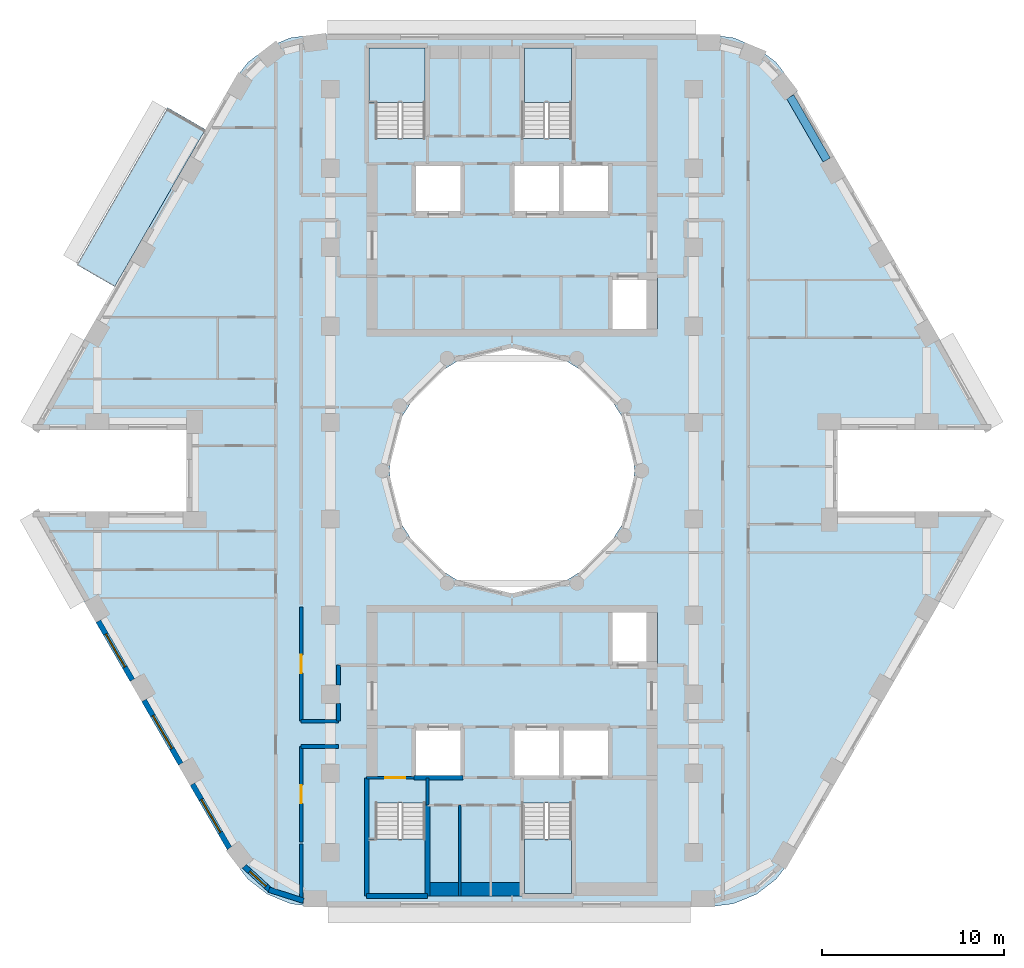
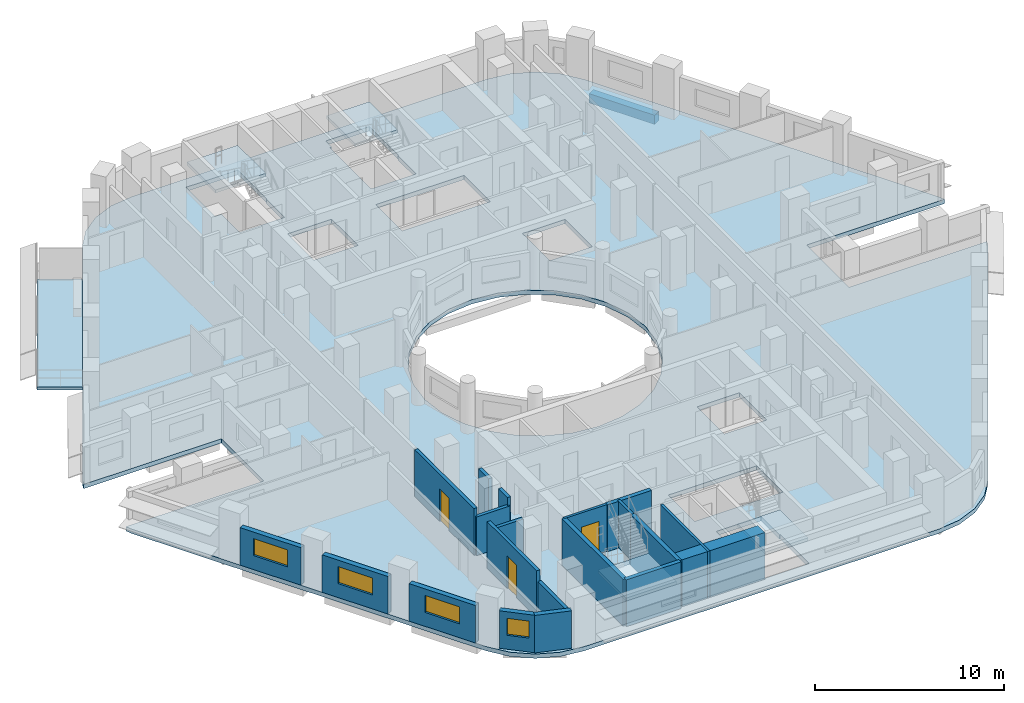
# One storey, part 2 of 13: 20 walls, 6 slabs, 4 windows, 3 doors, 1 beam, 7 openings, 4 elements without a shape of their own.
"""IFC4 building model written with IfcOpenShell, lengths in metres."""

from ifc_helpers import new_model, si_unit, direction, frame, frame_2d, origin, origin_2d, place, context, subcontext, project, spatial, polyline, rectangle, outline, extrude, material, layer, layer_set, material_profile, profile_set, type_object, element, fill, aggregate, save


model = new_model("IFC4")

# Units and contexts
model_context = context("Model", 3, precision=1e-05, world=origin(), true_north=direction((0.0, 1.0)))
body_context = subcontext(model_context, "Body", "Model", "MODEL_VIEW")
ifc_project = project(units=[si_unit("LENGTHUNIT", "METRE"), si_unit("AREAUNIT", "SQUARE_METRE"), si_unit("VOLUMEUNIT", "CUBIC_METRE"), si_unit("PLANEANGLEUNIT", "RADIAN"), si_unit("MASSUNIT", "GRAM", prefix="KILO")], contexts=[model_context])

# Site, building, storey
site_placement = place(None, origin())
site = spatial("IfcSite", under=ifc_project, at=site_placement, CompositionType="ELEMENT")
building_placement = place(site_placement, origin())
building = spatial("IfcBuilding", under=site, at=building_placement, Name="Nakaniwa Court", CompositionType="ELEMENT")
storey_placement = place(building_placement, frame((0.0, 0.0, 143.699951171875)))
storey = spatial("IfcBuildingStorey", under=building, at=storey_placement, Name="L37", CompositionType="ELEMENT", Elevation=143.699951171875)

# Beam
ifc_material_1 = material(Name="Concrete C80/100", Category="concrete")
ifc_material_profile = material_profile(ifc_material_1, rectangle(XDim=0.449951171875, YDim=0.60009765625, at=origin_2d()), Name="Concrete C80/100 RC 450x600 spandrel beam")
ifc_profile_set = profile_set([ifc_material_profile], Name="Concrete C80/100")
beam_type = type_object("IfcBeamType", Name="Concrete C80/100 RC 450x600 spandrel beam", PredefinedType="BEAM", material=ifc_profile_set)
beam_placement = place(storey_placement, frame((97.320556640625, 97.10009765625, -0.574951171875), z_axis=(-0.500018573463, 0.866014680125, 0.0), x_axis=(-0.866014680125, -0.500018573463, 0.0)))
element("IfcBeam", 1, at=beam_placement, inside=storey, type_object=beam_type, Name="SPANDREL BEAM", PredefinedType="BEAM", context=body_context, shape_type="SweptSolid", body=[
    extrude(rectangle(XDim=0.449951171875, YDim=0.60009765625, at=origin_2d()), origin(), (0.0, 0.0, 1.0), 4.020263671875),
])

# Slabs
ifc_material_2 = material(Name="Charcoal ceramic paver")
ifc_layer_1 = layer(ifc_material_2, 0.02, Name="Ceramic paver")
ifc_material_3 = material(Name="Cement sand screed")
ifc_layer_2 = layer(ifc_material_3, 0.03, Name="Falls screed")
ifc_material_4 = material(Name="Concrete C40/50", Category="concrete")
ifc_layer_3 = layer(ifc_material_4, 0.15, Name="Balcony slab")
ifc_layer_set_1 = layer_set([ifc_layer_1, ifc_layer_2, ifc_layer_3], Name="Concrete C40/50 balcony slab with ceramic paver finish")
slab_type_1 = type_object("IfcSlabType", Name="Balcony slab 200", PredefinedType="FLOOR", material=ifc_layer_set_1)
slab_1_placement = place(storey_placement, frame((0.0, 0.0, -0.25)))
element("IfcSlab", 2, at=slab_1_placement, inside=storey, type_object=slab_type_1, Name="L37 balcony 01", PredefinedType="FLOOR", context=body_context, shape_type="SweptSolid", body=[
    extrude(outline(polyline([(63.1298828125, 98.780029296875), (58.13671875, 90.1318359375), (56.058349609375, 91.331787109375), (61.051513671875, 99.97998046875), (63.1298828125, 98.780029296875)])), origin(), (0.0, 0.0, 1.0), 0.199951171875),
])
ifc_layer_4 = layer(ifc_material_1, 0.27490234375)
ifc_layer_set_2 = layer_set([ifc_layer_4], Name="Concrete C80/100")
slab_type_2 = type_object("IfcSlabType", Name="Concrete C80/100 post tensioned floor slab 275", PredefinedType="FLOOR", material=ifc_layer_set_2)
slab_2_placement = place(storey_placement, frame((0.0, 0.0, -0.27490234375)))
element("IfcSlab", 3, at=slab_2_placement, inside=storey, type_object=slab_type_2, Name="FLOOR SLAB", PredefinedType="FLOOR", context=body_context, shape_type="SweptSolid", body=[
    extrude(outline(polyline([(97.908447265625, 82.25), (106.356689453125, 82.25), (106.211669921875, 82.60009765625), (95.357421875, 101.39990234375), (94.531005859375, 102.47705078125), (93.4541015625, 103.30322265625), (92.199951171875, 103.82275390625), (90.854248046875, 104.0), (69.145751953125, 104.0), (67.800048828125, 103.82275390625), (66.5458984375, 103.30322265625), (65.468994140625, 102.47705078125), (64.642578125, 101.39990234375), (53.788330078125, 82.60009765625), (53.643310546875, 82.25), (62.091552734375, 82.25), (62.091552734375, 77.75), (53.643310546875, 77.75), (53.788330078125, 77.39990234375), (64.642578125, 58.60009765625), (65.468994140625, 57.52294921875), (66.5458984375, 56.69677734375), (67.800048828125, 56.17724609375), (69.145751953125, 56.0), (90.854248046875, 56.0), (92.199951171875, 56.17724609375), (93.4541015625, 56.69677734375), (94.531005859375, 57.52294921875), (95.357421875, 58.60009765625), (106.211669921875, 77.39990234375), (106.356689453125, 77.75), (97.908447265625, 77.75), (97.908447265625, 82.25)]), holes=[polyline([(81.501953125, 86.580810546875), (80.0, 86.75), (78.498046875, 86.580810546875), (77.0712890625, 86.08154296875), (75.79150390625, 85.27734375), (74.72265625, 84.20849609375), (73.91845703125, 82.9287109375), (73.419189453125, 81.501953125), (73.25, 80.0), (73.419189453125, 78.498046875), (73.91845703125, 77.0712890625), (74.72265625, 75.79150390625), (75.79150390625, 74.72265625), (77.0712890625, 73.91845703125), (78.498046875, 73.419189453125), (80.0, 73.25), (81.501953125, 73.419189453125), (82.9287109375, 73.91845703125), (84.20849609375, 74.72265625), (85.27734375, 75.79150390625), (86.08154296875, 77.0712890625), (86.580810546875, 78.498046875), (86.75, 80.0), (86.580810546875, 81.501953125), (86.08154296875, 82.9287109375), (85.27734375, 84.20849609375), (84.20849609375, 85.27734375), (82.9287109375, 86.08154296875), (81.501953125, 86.580810546875)]), polyline([(72.47509765625, 61.7099609375), (72.47509765625, 59.764892578125), (72.0849609375, 59.764892578125), (72.0849609375, 56.68505859375), (75.264892578125, 56.68505859375), (75.264892578125, 59.764892578125), (75.22509765625, 59.764892578125), (75.22509765625, 61.7099609375), (72.47509765625, 61.7099609375)]), polyline([(77.300048828125, 65.89990234375), (74.60009765625, 65.89990234375), (74.60009765625, 63.10009765625), (77.300048828125, 63.10009765625), (77.300048828125, 65.89990234375)]), polyline([(80.0, 65.89990234375), (80.0, 63.10009765625), (82.699951171875, 63.10009765625), (85.39990234375, 63.10009765625), (85.39990234375, 65.89990234375), (82.699951171875, 65.89990234375), (80.0, 65.89990234375)]), polyline([(77.300048828125, 96.89990234375), (74.60009765625, 96.89990234375), (74.60009765625, 94.10009765625), (77.300048828125, 94.10009765625), (77.300048828125, 96.89990234375)]), polyline([(80.0, 96.89990234375), (80.0, 94.10009765625), (82.699951171875, 94.10009765625), (85.39990234375, 94.10009765625), (85.39990234375, 96.89990234375), (82.699951171875, 96.89990234375), (80.0, 96.89990234375)]), polyline([(75.264892578125, 100.235107421875), (75.264892578125, 103.31494140625), (72.0849609375, 103.31494140625), (72.0849609375, 100.235107421875), (72.47509765625, 100.235107421875), (72.47509765625, 98.2900390625), (75.22509765625, 98.2900390625), (75.22509765625, 100.235107421875), (75.264892578125, 100.235107421875)]), polyline([(83.27490234375, 61.7099609375), (80.52490234375, 61.7099609375), (80.52490234375, 57.324951171875), (80.635009765625, 57.324951171875), (80.635009765625, 56.68505859375), (83.31494140625, 56.68505859375), (83.31494140625, 59.764892578125), (83.27490234375, 59.764892578125), (83.27490234375, 61.7099609375)]), polyline([(88.0, 72.199951171875), (85.39990234375, 72.199951171875), (85.39990234375, 69.300048828125), (88.0, 69.300048828125), (88.0, 72.199951171875)]), polyline([(88.0, 90.699951171875), (85.39990234375, 90.699951171875), (85.39990234375, 87.800048828125), (88.0, 87.800048828125), (88.0, 90.699951171875)]), polyline([(83.31494140625, 100.235107421875), (83.31494140625, 103.31494140625), (80.635009765625, 103.31494140625), (80.635009765625, 102.675048828125), (80.52490234375, 102.675048828125), (80.52490234375, 98.2900390625), (83.27490234375, 98.2900390625), (83.27490234375, 100.235107421875), (83.31494140625, 100.235107421875)])]), origin(), (0.0, 0.0, 1.0), 0.27490234375),
])

# Stair, slab
stair_type = type_object("IfcStairType", Name="Dog leg stair 1300 wide 18 risers", PredefinedType="HALF_TURN_STAIR", material=ifc_material_1)
stair_1_placement = place(storey_placement, origin())
stair_1 = element("IfcStair", 4, at=stair_1_placement, inside=storey, type_object=stair_type, Name="L37 Stair ST1", PredefinedType="HALF_TURN_STAIR")
ifc_layer_5 = layer(ifc_material_1, 0.199951171875)
ifc_layer_set_3 = layer_set([ifc_layer_5], Name="Concrete C80/100")
slab_type_3 = type_object("IfcSlabType", Name="Stair landing concrete", PredefinedType="LANDING", material=ifc_layer_set_3)
slab_3_placement = place(storey_placement, frame((0.0, 0.0, 1.449951171875)))
slab_3 = element("IfcSlab", 5, at=slab_3_placement, type_object=slab_type_3, Name="ST1 landing 1", PredefinedType="LANDING", context=body_context, shape_type="SweptSolid", body=[
    extrude(outline(polyline([(75.22509765625, 100.27490234375), (75.22509765625, 103.27490234375), (72.125, 103.27490234375), (72.125, 100.27490234375), (75.22509765625, 100.27490234375)])), origin(), (0.0, 0.0, 1.0), 0.2001953125),
])
aggregate(stair_1, [slab_3])

stair_2_placement = place(storey_placement, origin())
stair_2 = element("IfcStair", 6, at=stair_2_placement, inside=storey, type_object=stair_type, Name="L37 Stair ST2", PredefinedType="HALF_TURN_STAIR")
slab_4_placement = place(storey_placement, frame((0.0, 0.0, 1.449951171875)))
slab_4 = element("IfcSlab", 7, at=slab_4_placement, type_object=slab_type_3, Name="ST2 landing 1", PredefinedType="LANDING", context=body_context, shape_type="SweptSolid", body=[
    extrude(outline(polyline([(83.27490234375, 100.27490234375), (83.27490234375, 103.27490234375), (80.675048828125, 103.27490234375), (80.675048828125, 100.27490234375), (83.27490234375, 100.27490234375)])), origin(), (0.0, 0.0, 1.0), 0.2001953125),
])
aggregate(stair_2, [slab_4])

stair_3_placement = place(storey_placement, origin())
stair_3 = element("IfcStair", 8, at=stair_3_placement, inside=storey, type_object=stair_type, Name="L37 Stair ST3", PredefinedType="HALF_TURN_STAIR")
slab_5_placement = place(storey_placement, frame((0.0, 0.0, 1.449951171875)))
slab_5 = element("IfcSlab", 9, at=slab_5_placement, type_object=slab_type_3, Name="ST3 landing 1", PredefinedType="LANDING", context=body_context, shape_type="SweptSolid", body=[
    extrude(outline(polyline([(75.22509765625, 56.72509765625), (75.22509765625, 59.72509765625), (72.125, 59.72509765625), (72.125, 56.72509765625), (75.22509765625, 56.72509765625)])), origin(), (0.0, 0.0, 1.0), 0.2001953125),
])
aggregate(stair_3, [slab_5])

stair_4_placement = place(storey_placement, origin())
stair_4 = element("IfcStair", 10, at=stair_4_placement, inside=storey, type_object=stair_type, Name="L37 Stair ST4", PredefinedType="HALF_TURN_STAIR")
slab_6_placement = place(storey_placement, frame((0.0, 0.0, 1.449951171875)))
slab_6 = element("IfcSlab", 11, at=slab_6_placement, type_object=slab_type_3, Name="ST4 landing 1", PredefinedType="LANDING", context=body_context, shape_type="SweptSolid", body=[
    extrude(outline(polyline([(83.27490234375, 56.72509765625), (83.27490234375, 59.72509765625), (80.675048828125, 59.72509765625), (80.675048828125, 56.72509765625), (83.27490234375, 56.72509765625)])), origin(), (0.0, 0.0, 1.0), 0.2001953125),
])
aggregate(stair_4, [slab_6])

# Walls
ifc_material_5 = material(Name="Acoustic double stud partition")
ifc_layer_6 = layer(ifc_material_5, 0.199951171875)
ifc_layer_set_4 = layer_set([ifc_layer_6], Name="Acoustic double stud partition")
wall_type_1 = type_object("IfcWallType", Name="Acoustic double stud partition 200", PredefinedType="PARTITIONING", material=ifc_layer_set_4)
wall_1_placement = place(storey_placement, frame((68.39990234375, 64.824951171875, 0.0), z_axis=(0.0, 0.0, 1.0), x_axis=(1.0, 0.0, 0.0)))
element("IfcWall", 12, at=wall_1_placement, inside=storey, type_object=wall_type_1, Name="Partition PW-079", PredefinedType="PARTITIONING", context=body_context, shape_type="SweptSolid", body=[
    extrude(rectangle(XDim=2.06298828125, YDim=0.199951171875, at=frame_2d((1.031494140625, 0.0))), origin(), (0.0, 0.0, 1.0), 2.505126953125),
])
wall_2_placement = place(storey_placement, frame((68.39990234375, 66.22509765625, 0.0), z_axis=(0.0, 0.0, 1.0), x_axis=(1.0, 0.0, 0.0)))
element("IfcWall", 13, at=wall_2_placement, inside=storey, type_object=wall_type_1, Name="Partition PW-090", PredefinedType="PARTITIONING", context=body_context, shape_type="SweptSolid", body=[
    extrude(rectangle(XDim=2.050048828125, YDim=0.199951171875, at=frame_2d((1.02490234375, 0.0))), origin(), (0.0, 0.0, 1.0), 2.505126953125),
])
wall_3_placement = place(storey_placement, frame((68.39990234375, 56.40087890625, 0.0), z_axis=(0.0, 0.0, 1.0), x_axis=(0.0, 1.0, 0.0)))
element("IfcWall", 14, at=wall_3_placement, inside=storey, type_object=wall_type_1, Name="Partition PW-100", PredefinedType="PARTITIONING", context=body_context, shape_type="SweptSolid", body=[
    extrude(rectangle(XDim=3.06201171875, YDim=0.199951171875, at=frame_2d((1.531005859375, 0.0))), origin(), (0.0, 0.0, 1.0), 2.405029296875),
])

# Wall, opening, door
wall_4_placement = place(storey_placement, frame((68.39990234375, 64.824951171875, 0.0), z_axis=(0.0, 0.0, 1.0), x_axis=(0.0, -1.0, 0.0)))
wall_4 = element("IfcWall", 15, at=wall_4_placement, inside=storey, type_object=wall_type_1, Name="Partition PW-101", PredefinedType="PARTITIONING", context=body_context, shape_type="SweptSolid", body=[
    extrude(rectangle(XDim=5.247802734375, YDim=0.199951171875, at=frame_2d((2.6240234375, 0.0))), origin(), (0.0, 0.0, 1.0), 3.025146484375),
])
opening_1_placement = place(wall_4_placement, frame((2.123046875, 0.0, 0.0)))
opening_1 = element("IfcOpeningElement", 16, at=opening_1_placement, cuts=wall_4, Name="Opening D-02-05", PredefinedType="OPENING", context=body_context, shape_type="SweptSolid", body=[
    extrude(rectangle(XDim=1.0, YDim=2.10009765625, at=frame_2d((0.5, 1.050048828125))), frame((0.0, 0.10986328125, 0.0), z_axis=(0.0, -1.0, 0.0), x_axis=(1.0, 0.0, 0.0)), (0.0, 0.0, 1.0), 0.219970703125),
])
ifc_material_6 = material(Name="Solid core timber door set, black veneer", Category="wood")
door_type_1 = type_object("IfcDoorType", Name="Internal door 1000", OperationType="NOTDEFINED", PredefinedType="DOOR", material=ifc_material_6)
door_1_placement = place(opening_1_placement, origin())
door_1 = element("IfcDoor", 17, at=door_1_placement, inside=storey, type_object=door_type_1, Name="Door D-02-05 L37-036", OperationType="SINGLE_SWING_LEFT", OverallHeight=2.10009765625, OverallWidth=1.0, PredefinedType="DOOR", context=body_context, shape_type="SweptSolid", body=[
    extrude(rectangle(XDim=1.0, YDim=2.10009765625, at=frame_2d((0.5, 1.050048828125))), frame((0.0, 0.02490234375, 0.0), z_axis=(0.0, -1.0, 0.0), x_axis=(1.0, 0.0, 0.0)), (0.0, 0.0, 1.0), 0.050048828125),
])
fill(opening_1, door_1)

wall_5_placement = place(storey_placement, frame((68.39990234375, 72.5126953125, 0.0), z_axis=(0.0, 0.0, 1.0), x_axis=(0.0, -1.0, 0.0)))
wall_5 = element("IfcWall", 18, at=wall_5_placement, inside=storey, type_object=wall_type_1, Name="Partition PW-102", PredefinedType="PARTITIONING", context=body_context, shape_type="SweptSolid", body=[
    extrude(rectangle(XDim=6.28759765625, YDim=0.199951171875, at=frame_2d((3.143798828125, 0.0))), origin(), (0.0, 0.0, 1.0), 3.025146484375),
])
opening_2_placement = place(wall_5_placement, frame((2.64501953125, 0.0, 0.0)))
opening_2 = element("IfcOpeningElement", 19, at=opening_2_placement, cuts=wall_5, Name="Opening D-02-07", PredefinedType="OPENING", context=body_context, shape_type="SweptSolid", body=[
    extrude(rectangle(XDim=1.0, YDim=2.10009765625, at=frame_2d((0.5, 1.050048828125))), frame((0.0, 0.10986328125, 0.0), z_axis=(0.0, -1.0, 0.0), x_axis=(1.0, 0.0, 0.0)), (0.0, 0.0, 1.0), 0.219970703125),
])
door_2_placement = place(opening_2_placement, origin())
door_2 = element("IfcDoor", 20, at=door_2_placement, inside=storey, type_object=door_type_1, Name="Door D-02-07 L37-038", OperationType="SINGLE_SWING_LEFT", OverallHeight=2.10009765625, OverallWidth=1.0, PredefinedType="DOOR", context=body_context, shape_type="SweptSolid", body=[
    extrude(rectangle(XDim=1.0, YDim=2.10009765625, at=frame_2d((0.5, 1.050048828125))), frame((0.0, 0.02490234375, 0.0), z_axis=(0.0, -1.0, 0.0), x_axis=(1.0, 0.0, 0.0)), (0.0, 0.0, 1.0), 0.050048828125),
])
fill(opening_2, door_2)

# Walls
wall_6_placement = place(storey_placement, frame((70.449951171875, 66.22509765625, 0.0), z_axis=(0.0, 0.0, 1.0), x_axis=(0.0, 1.0, 0.0)))
element("IfcWall", 21, at=wall_6_placement, inside=storey, type_object=wall_type_1, Name="Partition PW-109", PredefinedType="PARTITIONING", context=body_context, shape_type="SweptSolid", body=[
    extrude(rectangle(XDim=0.957763671875, YDim=0.199951171875, at=frame_2d((0.47900390625, 0.0))), origin(), (0.0, 0.0, 1.0), 3.025146484375),
])
wall_7_placement = place(storey_placement, frame((70.449951171875, 68.21728515625, 0.0), z_axis=(0.0, 0.0, 1.0), x_axis=(0.0, 1.0, 0.0)))
element("IfcWall", 22, at=wall_7_placement, inside=storey, type_object=wall_type_1, Name="Partition PW-110", PredefinedType="PARTITIONING", context=body_context, shape_type="SweptSolid", body=[
    extrude(rectangle(XDim=1.082763671875, YDim=0.199951171875, at=frame_2d((0.54150390625, 0.0))), origin(), (0.0, 0.0, 1.0), 3.025146484375),
])

# Wall, opening, window
ifc_material_7 = material(Name="Charcoal ceramic cladding")
ifc_layer_7 = layer(ifc_material_7, 0.02, Name="Ceramic cladding")
ifc_material_8 = material(Name="Ventilated air cavity")
ifc_layer_8 = layer(ifc_material_8, 0.04, ventilated=True, Name="Ventilated cavity")
ifc_material_9 = material(Name="Mineral wool insulation")
ifc_layer_9 = layer(ifc_material_9, 0.1, Name="Insulation")
ifc_material_10 = material(Name="Cement bonded sheathing board")
ifc_layer_10 = layer(ifc_material_10, 0.012, Name="Sheathing")
ifc_material_11 = material(Name="Cold-formed galvanised stud frame with mineral wool infill")
ifc_layer_11 = layer(ifc_material_11, 0.1, Name="Stud frame")
ifc_material_12 = material(Name="Fire-rated gypsum plasterboard lining")
ifc_layer_12 = layer(ifc_material_12, 0.028, Name="Lining")
ifc_layer_set_5 = layer_set([ifc_layer_7, ifc_layer_8, ifc_layer_9, ifc_layer_10, ifc_layer_11, ifc_layer_12], Name="Charcoal ceramic faced external wall system")
wall_type_2 = type_object("IfcWallType", Name="Black ceramic faced external wall 300", PredefinedType="SOLIDWALL", material=ifc_layer_set_5)
wall_8_placement = place(storey_placement, frame((57.240478515625, 71.720947265625, 0.0), z_axis=(0.0, 0.0, 1.0), x_axis=(0.499933594891, -0.866063739398, 0.0)))
wall_8 = element("IfcWall", 23, at=wall_8_placement, inside=storey, type_object=wall_type_2, Name="L37 external wall 21", PredefinedType="SOLIDWALL", context=body_context, shape_type="SweptSolid", body=[
    extrude(rectangle(XDim=3.73681640625, YDim=0.300048828125, at=frame_2d((1.868408203125, 0.0))), origin(), (0.0, 0.0, 1.0), 2.425048828125),
])
opening_3_placement = place(wall_8_placement, frame((0.818359375, 0.0, 0.89990234375)))
opening_3 = element("IfcOpeningElement", 24, at=opening_3_placement, cuts=wall_8, Name="Opening W7.23", PredefinedType="OPENING", context=body_context, shape_type="SweptSolid", body=[
    extrude(rectangle(XDim=2.10009765625, YDim=1.10009765625, at=frame_2d((1.050048828125, 0.550048828125))), frame((0.0, 0.159912109375, 0.0), z_axis=(0.0, -1.0, 0.0), x_axis=(1.0, 0.0, 0.0)), (0.0, 0.0, 1.0), 0.320068359375),
])
ifc_material_13 = material(Name="Black anodised aluminium frame with dark low-E laminated double glazing", Category="aluminium")
window_type_1 = type_object("IfcWindowType", Name="Dark glass window 2100x1100 sill 900", PartitioningType="SINGLE_PANEL", PredefinedType="WINDOW", material=ifc_material_13)
window_1_placement = place(opening_3_placement, origin())
window_1 = element("IfcWindow", 25, at=window_1_placement, inside=storey, type_object=window_type_1, Name="L37 habitable room window 21-0", OverallHeight=1.10009765625, OverallWidth=2.10009765625, PartitioningType="SINGLE_PANEL", PredefinedType="WINDOW", context=body_context, shape_type="SweptSolid", body=[
    extrude(rectangle(XDim=2.10009765625, YDim=1.10009765625, at=frame_2d((1.050048828125, 0.550048828125))), frame((0.0, 0.030029296875, 0.0), z_axis=(0.0, -1.0, 0.0), x_axis=(1.0, 0.0, 0.0)), (0.0, 0.0, 1.0), 0.06005859375),
])
fill(opening_3, window_1)

wall_9_placement = place(storey_placement, frame((59.754638671875, 67.36572265625, 0.0), z_axis=(0.0, 0.0, 1.0), x_axis=(0.500031546601, -0.86600718958, 0.0)))
wall_9 = element("IfcWall", 26, at=wall_9_placement, inside=storey, type_object=wall_type_2, Name="L37 external wall 22", PredefinedType="SOLIDWALL", context=body_context, shape_type="SweptSolid", body=[
    extrude(rectangle(XDim=4.033935546875, YDim=0.300048828125, at=frame_2d((2.01708984375, 0.0))), origin(), (0.0, 0.0, 1.0), 2.425048828125),
])
opening_4_placement = place(wall_9_placement, frame((0.966796875, 0.0, 0.89990234375)))
opening_4 = element("IfcOpeningElement", 27, at=opening_4_placement, cuts=wall_9, Name="Opening W7.24", PredefinedType="OPENING", context=body_context, shape_type="SweptSolid", body=[
    extrude(rectangle(XDim=2.10009765625, YDim=1.10009765625, at=frame_2d((1.050048828125, 0.550048828125))), frame((0.0, 0.159912109375, 0.0), z_axis=(0.0, -1.0, 0.0), x_axis=(1.0, 0.0, 0.0)), (0.0, 0.0, 1.0), 0.320068359375),
])
window_2_placement = place(opening_4_placement, origin())
window_2 = element("IfcWindow", 28, at=window_2_placement, inside=storey, type_object=window_type_1, Name="L37 habitable room window 22-0", OverallHeight=1.10009765625, OverallWidth=2.10009765625, PartitioningType="SINGLE_PANEL", PredefinedType="WINDOW", context=body_context, shape_type="SweptSolid", body=[
    extrude(rectangle(XDim=2.10009765625, YDim=1.10009765625, at=frame_2d((1.050048828125, 0.550048828125))), frame((0.0, 0.030029296875, 0.0), z_axis=(0.0, -1.0, 0.0), x_axis=(1.0, 0.0, 0.0)), (0.0, 0.0, 1.0), 0.06005859375),
])
fill(opening_4, window_2)

wall_10_placement = place(storey_placement, frame((62.417724609375, 62.75341796875, 0.0), z_axis=(0.0, 0.0, 1.0), x_axis=(0.500018589245, -0.866014671013, 0.0)))
wall_10 = element("IfcWall", 29, at=wall_10_placement, inside=storey, type_object=wall_type_2, Name="L37 external wall 23", PredefinedType="SOLIDWALL", context=body_context, shape_type="SweptSolid", body=[
    extrude(rectangle(XDim=4.067626953125, YDim=0.300048828125, at=frame_2d((2.03369140625, 0.0))), origin(), (0.0, 0.0, 1.0), 2.425048828125),
])
opening_5_placement = place(wall_10_placement, frame((0.97265625, 0.0, 0.89990234375)))
opening_5 = element("IfcOpeningElement", 30, at=opening_5_placement, cuts=wall_10, Name="Opening W7.25", PredefinedType="OPENING", context=body_context, shape_type="SweptSolid", body=[
    extrude(rectangle(XDim=2.10009765625, YDim=1.10009765625, at=frame_2d((1.050048828125, 0.550048828125))), frame((0.0, 0.159912109375, 0.0), z_axis=(0.0, -1.0, 0.0), x_axis=(1.0, 0.0, 0.0)), (0.0, 0.0, 1.0), 0.320068359375),
])
window_3_placement = place(opening_5_placement, origin())
window_3 = element("IfcWindow", 31, at=window_3_placement, inside=storey, type_object=window_type_1, Name="L37 habitable room window 23-0", OverallHeight=1.10009765625, OverallWidth=2.10009765625, PartitioningType="SINGLE_PANEL", PredefinedType="WINDOW", context=body_context, shape_type="SweptSolid", body=[
    extrude(rectangle(XDim=2.10009765625, YDim=1.10009765625, at=frame_2d((1.050048828125, 0.550048828125))), frame((0.0, 0.030029296875, 0.0), z_axis=(0.0, -1.0, 0.0), x_axis=(1.0, 0.0, 0.0)), (0.0, 0.0, 1.0), 0.06005859375),
])
fill(opening_5, window_3)

wall_11_placement = place(storey_placement, frame((65.26904296875, 58.229248046875, 0.0), z_axis=(0.0, 0.0, 1.0), x_axis=(0.737487298625, -0.675361002995, 0.0)))
wall_11 = element("IfcWall", 32, at=wall_11_placement, inside=storey, type_object=wall_type_2, Name="L37 external wall 24", PredefinedType="SOLIDWALL", context=body_context, shape_type="SweptSolid", body=[
    extrude(rectangle(XDim=1.9765625, YDim=0.300048828125, at=frame_2d((0.98828125, 0.0))), origin(), (0.0, 0.0, 1.0), 2.425048828125),
])
opening_6_placement = place(wall_11_placement, frame((0.41552734375, 0.0, 0.89990234375)))
opening_6 = element("IfcOpeningElement", 33, at=opening_6_placement, cuts=wall_11, Name="Opening W6.26", PredefinedType="OPENING", context=body_context, shape_type="SweptSolid", body=[
    extrude(rectangle(XDim=1.199951171875, YDim=1.10009765625, at=frame_2d((0.60009765625, 0.550048828125))), frame((0.0, 0.159912109375, 0.0), z_axis=(0.0, -1.0, 0.0), x_axis=(1.0, 0.0, 0.0)), (0.0, 0.0, 1.0), 0.320068359375),
])
window_type_2 = type_object("IfcWindowType", Name="Dark glass window 1200x1100 sill 900", PartitioningType="SINGLE_PANEL", PredefinedType="WINDOW", material=ifc_material_13)
window_4_placement = place(opening_6_placement, origin())
window_4 = element("IfcWindow", 34, at=window_4_placement, inside=storey, type_object=window_type_2, Name="L37 habitable room window 24-0", OverallHeight=1.10009765625, OverallWidth=1.199951171875, PartitioningType="SINGLE_PANEL", PredefinedType="WINDOW", context=body_context, shape_type="SweptSolid", body=[
    extrude(rectangle(XDim=1.199951171875, YDim=1.10009765625, at=frame_2d((0.60009765625, 0.550048828125))), frame((0.0, 0.030029296875, 0.0), z_axis=(0.0, -1.0, 0.0), x_axis=(1.0, 0.0, 0.0)), (0.0, 0.0, 1.0), 0.06005859375),
])
fill(opening_6, window_4)

# Walls
wall_12_placement = place(storey_placement, frame((66.625732421875, 56.94580078125, 0.0), z_axis=(0.0, 0.0, 1.0), x_axis=(0.952201240673, -0.305471434444, 0.0)))
element("IfcWall", 35, at=wall_12_placement, inside=storey, type_object=wall_type_2, Name="L37 external wall 25", PredefinedType="SOLIDWALL", context=body_context, shape_type="SweptSolid", body=[
    extrude(rectangle(XDim=1.998779296875, YDim=0.300048828125, at=frame_2d((0.99951171875, 0.0))), origin(), (0.0, 0.0, 1.0), 2.425048828125),
])
ifc_material_14 = material(Name="Blockwork partition", Category="masonry")
ifc_layer_13 = layer(ifc_material_14, 0.14990234375)
ifc_layer_set_6 = layer_set([ifc_layer_13], Name="Blockwork partition")
wall_type_3 = type_object("IfcWallType", Name="Blockwork partition 150", PredefinedType="PARTITIONING", material=ifc_layer_set_6)
wall_13_placement = place(storey_placement, frame((77.117919921875, 56.60009765625, 0.0), z_axis=(0.0, 0.0, 1.0), x_axis=(0.0, 1.0, 0.0)))
element("IfcWall", 36, at=wall_13_placement, inside=storey, type_object=wall_type_3, Name="Partition PW-069", PredefinedType="PARTITIONING", context=body_context, shape_type="SweptSolid", body=[
    extrude(rectangle(XDim=5.0, YDim=0.14990234375, at=frame_2d((2.5, 0.0))), origin(), (0.0, 0.0, 1.0), 3.025146484375),
])

# Wall, opening, door
ifc_layer_14 = layer(ifc_material_1, 0.14990234375)
ifc_layer_set_7 = layer_set([ifc_layer_14], Name="Concrete C80/100")
wall_type_4 = type_object("IfcWallType", Name="Concrete core wall 150 C80", PredefinedType="SHEAR", material=ifc_layer_set_7)
wall_14_placement = place(storey_placement, frame((72.0, 63.10009765625, -0.27490234375), z_axis=(0.0, 0.0, 1.0), x_axis=(1.0, 0.0, 0.0)))
wall_14 = element("IfcWall", 37, at=wall_14_placement, inside=storey, type_object=wall_type_4, Name="Core wall SW-51", PredefinedType="SHEAR", context=body_context, shape_type="SweptSolid", body=[
    extrude(rectangle(XDim=2.60009765625, YDim=0.14990234375, at=frame_2d((1.300048828125, 0.0))), origin(), (0.0, 0.0, 1.0), 3.300048828125),
])
opening_7_placement = place(wall_14_placement, frame((1.02001953125, 0.0, 0.27490234375)))
opening_7 = element("IfcOpeningElement", 38, at=opening_7_placement, cuts=wall_14, Name="Opening D-09-02", PredefinedType="OPENING", context=body_context, shape_type="SweptSolid", body=[
    extrude(rectangle(XDim=1.10009765625, YDim=2.10009765625, at=frame_2d((0.550048828125, 1.050048828125))), frame((0.0, 0.0849609375, 0.0), z_axis=(0.0, -1.0, 0.0), x_axis=(1.0, 0.0, 0.0)), (0.0, 0.0, 1.0), 0.169921875),
])
ifc_material_15 = material(Name="Fire rated steel door set", Category="steel")
door_type_2 = type_object("IfcDoorType", Name="Stair door 1100", OperationType="NOTDEFINED", PredefinedType="DOOR", material=ifc_material_15)
door_3_placement = place(opening_7_placement, origin())
door_3 = element("IfcDoor", 39, at=door_3_placement, inside=storey, type_object=door_type_2, Name="Door D-09-02 L37-025", OperationType="SINGLE_SWING_LEFT", OverallHeight=2.10009765625, OverallWidth=1.10009765625, PredefinedType="DOOR", context=body_context, shape_type="SweptSolid", body=[
    extrude(rectangle(XDim=1.10009765625, YDim=2.10009765625, at=frame_2d((0.550048828125, 1.050048828125))), frame((0.0, 0.02490234375, 0.0), z_axis=(0.0, -1.0, 0.0), x_axis=(1.0, 0.0, 0.0)), (0.0, 0.0, 1.0), 0.050048828125),
])
fill(opening_7, door_3)

# Walls
wall_15_placement = place(storey_placement, frame((75.35009765625, 61.596923828125, -0.27490234375), z_axis=(0.0, 0.0, 1.0), x_axis=(0.0, 1.0, 0.0)))
element("IfcWall", 40, at=wall_15_placement, inside=storey, type_object=wall_type_4, Name="Core wall SW-58", PredefinedType="SHEAR", context=body_context, shape_type="SweptSolid", body=[
    extrude(rectangle(XDim=1.503173828125, YDim=0.14990234375, at=frame_2d((0.75146484375, 0.0))), origin(), (0.0, 0.0, 1.0), 3.300048828125),
])
ifc_layer_15 = layer(ifc_material_1, 0.25)
ifc_layer_set_8 = layer_set([ifc_layer_15], Name="Concrete C80/100")
wall_type_5 = type_object("IfcWallType", Name="Concrete core wall 250 C80", PredefinedType="SHEAR", material=ifc_layer_set_8)
wall_16_placement = place(storey_placement, frame((72.0, 56.60009765625, -0.27490234375), z_axis=(0.0, 0.0, 1.0), x_axis=(0.0, 1.0, 0.0)))
element("IfcWall", 41, at=wall_16_placement, inside=storey, type_object=wall_type_5, Name="Core wall SW-60", PredefinedType="SHEAR", context=body_context, shape_type="SweptSolid", body=[
    extrude(rectangle(XDim=6.5, YDim=0.25, at=frame_2d((3.25, 0.0))), origin(), (0.0, 0.0, 1.0), 3.300048828125),
])
wall_17_placement = place(storey_placement, frame((72.0, 56.60009765625, -0.27490234375), z_axis=(0.0, 0.0, 1.0), x_axis=(1.0, 0.0, 0.0)))
element("IfcWall", 42, at=wall_17_placement, inside=storey, type_object=wall_type_5, Name="Core wall SW-61", PredefinedType="SHEAR", context=body_context, shape_type="SweptSolid", body=[
    extrude(rectangle(XDim=3.35009765625, YDim=0.25, at=frame_2d((1.675048828125, 0.0))), origin(), (0.0, 0.0, 1.0), 3.300048828125),
])
ifc_layer_16 = layer(ifc_material_1, 0.75)
ifc_layer_set_9 = layer_set([ifc_layer_16], Name="Concrete C80/100")
wall_type_6 = type_object("IfcWallType", Name="Concrete core wall 750 C80", PredefinedType="SHEAR", material=ifc_layer_set_9)
wall_18_placement = place(storey_placement, frame((75.35009765625, 56.97509765625, -0.27490234375), z_axis=(0.0, 0.0, 1.0), x_axis=(1.0, 0.0, 0.0)))
element("IfcWall", 43, at=wall_18_placement, inside=storey, type_object=wall_type_6, Name="Core wall SW-66", PredefinedType="SHEAR", context=body_context, shape_type="SweptSolid", body=[
    extrude(rectangle(XDim=5.199951171875, YDim=0.75, at=frame_2d((2.60009765625, 0.0))), origin(), (0.0, 0.0, 1.0), 3.300048828125),
])
ifc_layer_17 = layer(ifc_material_1, 0.25)
ifc_layer_set_10 = layer_set([ifc_layer_17], Name="Concrete C80/100")
wall_type_7 = type_object("IfcWallType", Name="Concrete shaft wall 250 C80", PredefinedType="SHEAR", material=ifc_layer_set_10)
wall_19_placement = place(storey_placement, frame((74.60009765625, 63.10009765625, -0.27490234375), z_axis=(0.0, 0.0, 1.0), x_axis=(1.0, 0.0, 0.0)))
element("IfcWall", 44, at=wall_19_placement, inside=storey, type_object=wall_type_7, Name="Core wall SW-53", PredefinedType="SHEAR", context=body_context, shape_type="SweptSolid", body=[
    extrude(rectangle(XDim=2.699951171875, YDim=0.25, at=frame_2d((1.35009765625, 0.0))), origin(), (0.0, 0.0, 1.0), 3.300048828125),
])
wall_20_placement = place(storey_placement, frame((75.35009765625, 56.60009765625, -0.27490234375), z_axis=(0.0, 0.0, 1.0), x_axis=(0.0, 1.0, 0.0)))
element("IfcWall", 45, at=wall_20_placement, inside=storey, type_object=wall_type_7, Name="Core wall SW-59", PredefinedType="SHEAR", context=body_context, shape_type="SweptSolid", body=[
    extrude(rectangle(XDim=5.0029296875, YDim=0.25, at=frame_2d((2.50146484375, 0.0))), origin(), (0.0, 0.0, 1.0), 3.300048828125),
])

save(model, "model.ifc")
